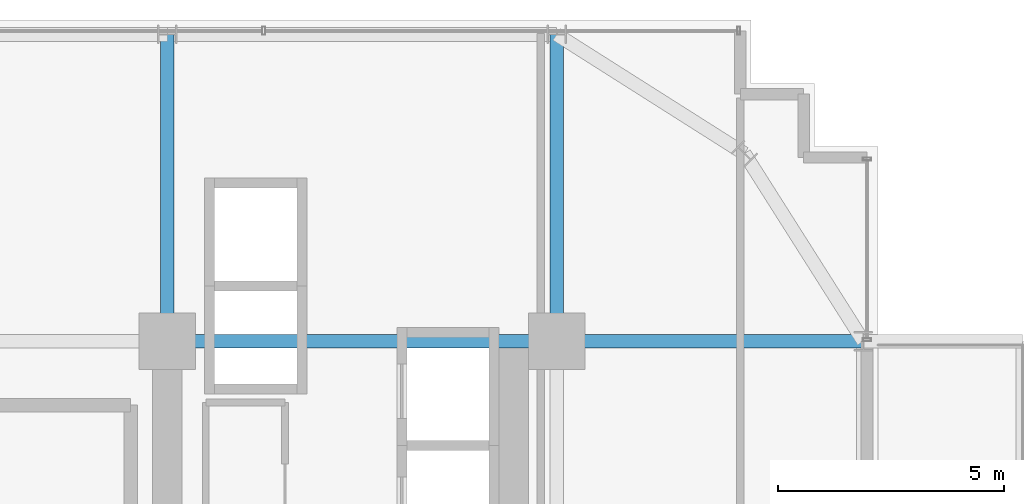
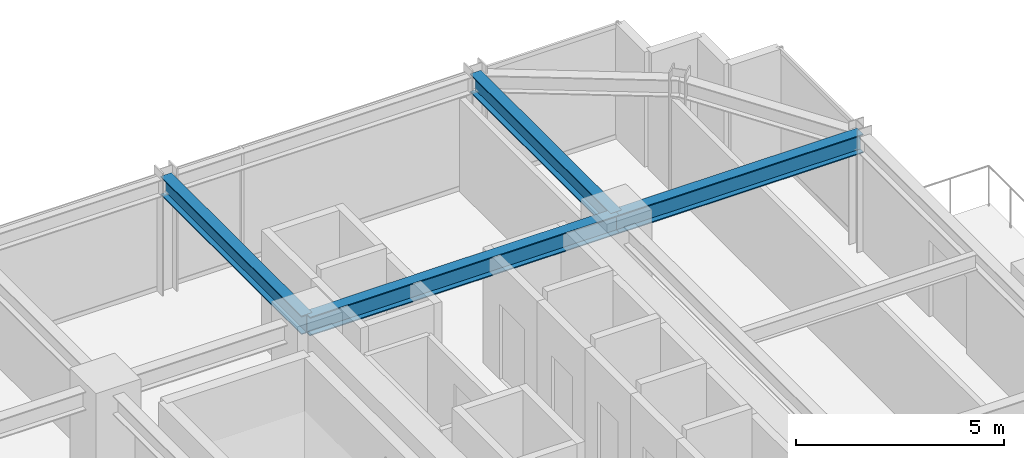
# One storey, part 22 of 32: 4 beams.
"""IFC4 building model written with IfcOpenShell, lengths in metres."""

from ifc_helpers import new_model, si_unit, direction, frame, origin, origin_2d, place, context, subcontext, project, spatial, i_section, extrude, source, transform, mapped, material, material_profile, profile_set, type_object, element, save


model = new_model("IFC4")

# Units and contexts
model_context = context("Model", 3, precision=1e-05, world=origin(), true_north=direction((0.0, 1.0)))
body_context = subcontext(model_context, "Body", "Model", "MODEL_VIEW")
ifc_project = project(units=[si_unit("LENGTHUNIT", "METRE"), si_unit("AREAUNIT", "SQUARE_METRE"), si_unit("VOLUMEUNIT", "CUBIC_METRE"), si_unit("PLANEANGLEUNIT", "RADIAN"), si_unit("MASSUNIT", "GRAM", prefix="KILO")], contexts=[model_context])

# Site, building, storey
site_placement = place(None, origin())
site = spatial("IfcSite", under=ifc_project, at=site_placement, CompositionType="ELEMENT")
building_placement = place(site_placement, origin())
building = spatial("IfcBuilding", under=site, at=building_placement, Name="Nahalor Promenade Grand Hotel", CompositionType="ELEMENT")
storey_placement = place(building_placement, frame((0.0, 0.0, 102.89990234375)))
storey = spatial("IfcBuildingStorey", under=building, at=storey_placement, Name="L25", CompositionType="ELEMENT", Elevation=102.89990234375)

# Beams
ifc_material = material(Name="Steel S355JR", Category="steel")
ifc_material_profile = material_profile(ifc_material, i_section(OverallWidth=0.3, OverallDepth=0.55, WebThickness=0.015, FlangeThickness=0.029, at=origin_2d()), Name="HEB 550")
ifc_profile_set = profile_set([ifc_material_profile], Name="Steel S355JR")
beam_type = type_object("IfcBeamType", Name="Beam-Girder-HEB550", PredefinedType="BEAM", material=ifc_profile_set)
shared_shape_1 = source(origin(), body_context, "Body", "SweptSolid", [
    extrude(i_section(OverallWidth=0.3, OverallDepth=0.55, WebThickness=0.015, FlangeThickness=0.029, at=origin_2d()), origin(), (0.0, 0.0, 1.0), 6.780029296875),
])
for number, where, z_axis, x_axis, name in (
    (1, (17.0, 17.0, 3.10498046875), (1.0, 0.0, 0.0), (0.0, 1.0, 0.0), "BM-L25-GX-3-6"),
    (2, (8.39990234375, 17.0, 3.10498046875), (0.0, 1.0, 0.0), (-1.0, 0.0, 0.0), "BM-L25-GY-4-4"),
    (3, (17.0, 17.0, 3.10498046875), (0.0, 1.0, 0.0), (-1.0, 0.0, 0.0), "BM-L25-GY-5-4"),
):
    element("IfcBeam", number, at=place(storey_placement, frame(where, z_axis=z_axis, x_axis=x_axis)), inside=storey, type_object=beam_type, Name=name, PredefinedType="BEAM", context=body_context, shape_type="MappedRepresentation", body=[
        mapped(shared_shape_1, transform((0.0, 0.0, 0.0), scale=1.0)),
    ])
shared_shape_2 = source(origin(), body_context, "Body", "SweptSolid", [
    extrude(i_section(OverallWidth=0.3, OverallDepth=0.55, WebThickness=0.015, FlangeThickness=0.029, at=origin_2d()), origin(), (0.0, 0.0, 1.0), 8.60009765625),
])
beam_placement = place(storey_placement, frame((8.39990234375, 17.0, 3.10498046875), z_axis=(1.0, 0.0, 0.0), x_axis=(0.0, 1.0, 0.0)))
element("IfcBeam", 4, at=beam_placement, inside=storey, type_object=beam_type, Name="BM-L25-GX-3-5", PredefinedType="BEAM", context=body_context, shape_type="MappedRepresentation", body=[
    mapped(shared_shape_2, transform((0.0, 0.0, 0.0), scale=1.0)),
])

save(model, "model.ifc")
